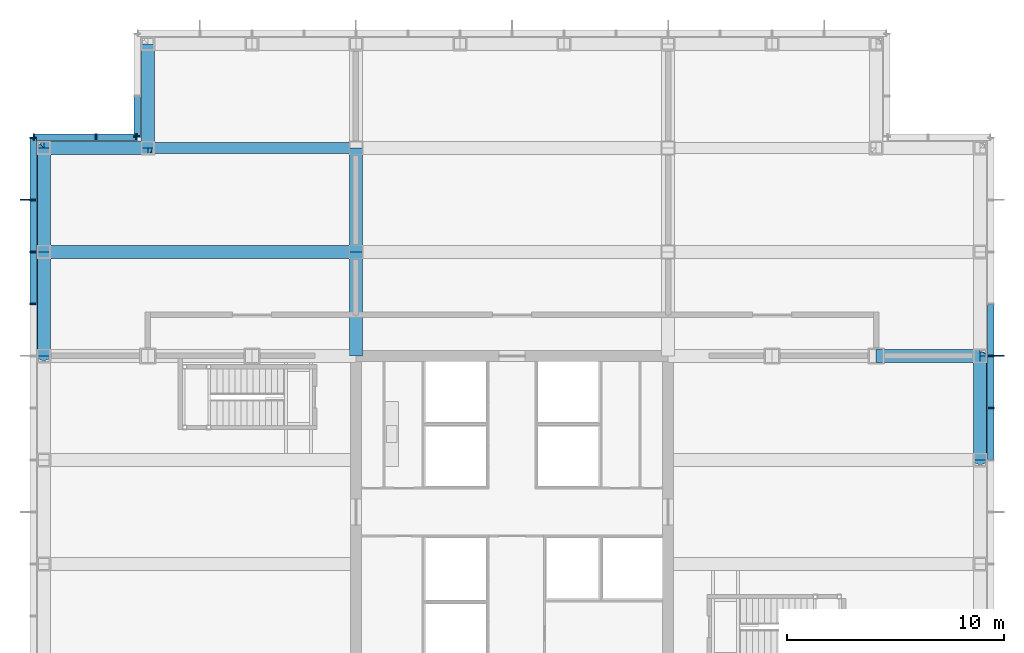
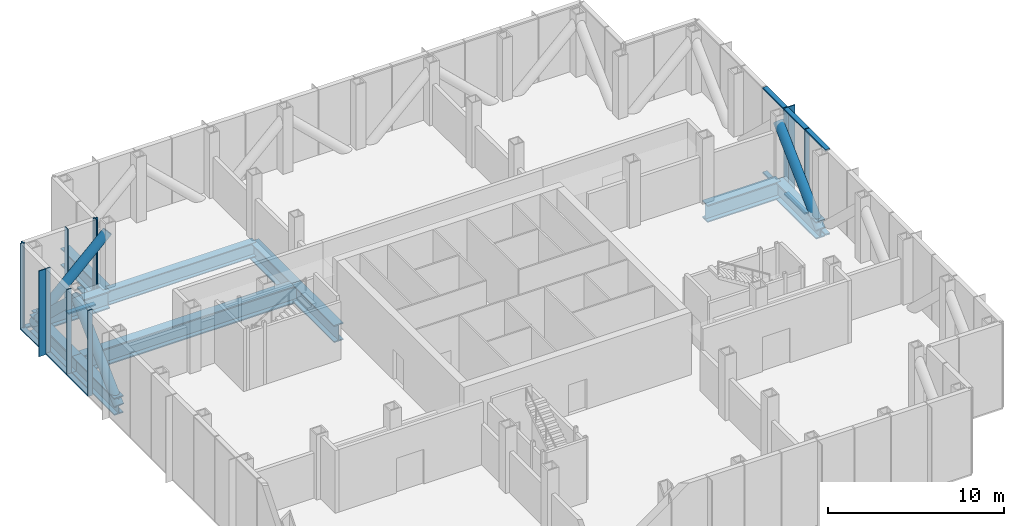
# One storey, part 9 of 18: 28 members, 10 beams, 4 elements without a shape of their own.
"""IFC4 building model written with IfcOpenShell, lengths in metres."""

from ifc_helpers import new_model, si_unit, direction, frame, origin, origin_2d, place, context, subcontext, project, spatial, rectangle, hollow_circle, i_section, extrude, material, material_profile, profile_set, type_object, element, aggregate, save


model = new_model("IFC4")

# Units and contexts
model_context = context("Model", 3, precision=1e-05, world=origin(), true_north=direction((0.0, 1.0)))
body_context = subcontext(model_context, "Body", "Model", "MODEL_VIEW")
ifc_project = project(units=[si_unit("LENGTHUNIT", "METRE"), si_unit("AREAUNIT", "SQUARE_METRE"), si_unit("VOLUMEUNIT", "CUBIC_METRE"), si_unit("PLANEANGLEUNIT", "RADIAN"), si_unit("MASSUNIT", "GRAM", prefix="KILO")], contexts=[model_context])

# Site, building, storey
site_placement = place(None, origin())
site = spatial("IfcSite", under=ifc_project, at=site_placement, CompositionType="ELEMENT")
building_placement = place(site_placement, origin())
building = spatial("IfcBuilding", under=site, at=building_placement, Name="Kvirike Care Tower", CompositionType="ELEMENT")
storey_placement = place(building_placement, frame((0.0, 0.0, 79.5)))
storey = spatial("IfcBuildingStorey", under=building, at=storey_placement, Name="L21", CompositionType="ELEMENT", Elevation=79.5)

# Members
ifc_material_1 = material(Name="Steel S355", Category="steel")
ifc_material_profile_1 = material_profile(ifc_material_1, hollow_circle(Radius=0.304931640625, WallThickness=0.030029296875, at=origin_2d()), Name="CHS 610x30")
ifc_profile_set_1 = profile_set([ifc_material_profile_1], Name="Steel S355")
member_type_1 = type_object("IfcMemberType", Name="BELT TRUSS DIAGONAL CHS 610x30", PredefinedType="BRACE", material=ifc_profile_set_1)
for number, where, z_axis, x_axis, name in (
    (1, (0.0, 52.800048828125, -0.85009765625), (0.0, -0.723490032929, 0.690334826191), (1.0, 0.0, 0.0), "Belt truss diagonal M3-L3 L21"),
    (2, (0.0, 43.199951171875, -0.85009765625), (0.0, 0.723490032929, 0.690334826191), (-1.0, 0.0, 0.0), "Belt truss diagonal L3-K3 L21"),
    (3, (43.199951171875, 38.39990234375, -0.85009765625), (0.0, 0.723490032929, 0.690334826191), (-1.0, 0.0, 0.0), "Belt truss diagonal J12-K12 L21"),
    (4, (0.0, 52.800048828125, -0.85009765625), (0.723490032929, 0.0, 0.690334826191), (0.0, 1.0, 0.0), "Belt truss diagonal M4-M3 L21"),
):
    element("IfcMember", number, at=place(storey_placement, frame(where, z_axis=z_axis, x_axis=x_axis)), inside=storey, type_object=member_type_1, Name=name, PredefinedType="BRACE", context=body_context, shape_type="SweptSolid", body=[
        extrude(hollow_circle(Radius=0.304931640625, WallThickness=0.030029296875, at=origin_2d()), origin(), (0.0, 0.0, 1.0), 6.634521484375),
    ])

# Curtain wall, member
ifc_material_2 = material(Name="Anodised aluminium stick system", Category="aluminium")
curtain_wall_type = type_object("IfcCurtainWallType", Name="CW-L LOUVRED PLANT SCREEN", PredefinedType="NOTDEFINED", material=ifc_material_2)
curtain_wall_1_placement = place(storey_placement, origin())
curtain_wall_1 = element("IfcCurtainWall", 5, at=curtain_wall_1_placement, inside=storey, type_object=curtain_wall_type, Name="Curtain wall L21 face 1", PredefinedType="NOTDEFINED")
ifc_material_3 = material(Name="Bronze anodised aluminium fin", Category="aluminium")
ifc_material_profile_2 = material_profile(ifc_material_3, rectangle(XDim=0.050048828125, YDim=0.449951171875, at=origin_2d()), Name="BRONZE FIN 450")
ifc_profile_set_2 = profile_set([ifc_material_profile_2], Name="Bronze anodised aluminium fin")
member_type_2 = type_object("IfcMemberType", Name="BRONZE FIN 450", PredefinedType="USERDEFINED", material=ifc_profile_set_2)
member_1_placement = place(storey_placement, frame((-0.875, 50.39990234375, -1.449951171875), z_axis=(0.0, 0.0, 1.0), x_axis=(0.0, -1.0, 0.0)))
member_1 = element("IfcMember", 6, at=member_1_placement, type_object=member_type_2, Name="Bronze fin L21 face 1.2", ObjectType="FIN", PredefinedType="USERDEFINED", context=body_context, shape_type="SweptSolid", body=[
    extrude(rectangle(XDim=0.050048828125, YDim=0.449951171875, at=origin_2d()), origin(), (0.0, 0.0, 1.0), 5.949951171875),
])

curtain_wall_2_placement = place(storey_placement, origin())
curtain_wall_2 = element("IfcCurtainWall", 7, at=curtain_wall_2_placement, inside=storey, type_object=curtain_wall_type, Name="Curtain wall L21 face 7", PredefinedType="NOTDEFINED")
member_2_placement = place(storey_placement, frame((44.074951171875, 43.199951171875, -1.449951171875), z_axis=(0.0, 0.0, 1.0), x_axis=(0.0, 1.0, 0.0)))
member_2 = element("IfcMember", 8, at=member_2_placement, type_object=member_type_2, Name="Bronze fin L21 face 7.11", ObjectType="FIN", PredefinedType="USERDEFINED", context=body_context, shape_type="SweptSolid", body=[
    extrude(rectangle(XDim=0.050048828125, YDim=0.449951171875, at=origin_2d()), origin(), (0.0, 0.0, 1.0), 5.949951171875),
])

# Member
ifc_material_4 = material(Name="Bronze anodised aluminium mullion", Category="aluminium")
ifc_material_profile_3 = material_profile(ifc_material_4, rectangle(XDim=0.06494140625, YDim=0.300048828125, at=origin_2d()), Name="CW-L MULLION 65x300")
ifc_profile_set_3 = profile_set([ifc_material_profile_3], Name="Bronze anodised aluminium mullion")
member_type_3 = type_object("IfcMemberType", Name="CW-L MULLION 65x300", PredefinedType="MULLION", material=ifc_profile_set_3)
member_3_placement = place(storey_placement, frame((-0.5, 53.267578125, -1.449951171875), z_axis=(0.0, 0.0, 1.0), x_axis=(0.0, -1.0, 0.0)))
member_3 = element("IfcMember", 9, at=member_3_placement, type_object=member_type_3, Name="CW-L mullion L21 face 1.1", PredefinedType="MULLION", context=body_context, shape_type="SweptSolid", body=[
    extrude(rectangle(XDim=0.06494140625, YDim=0.300048828125, at=origin_2d()), origin(), (0.0, 0.0, 1.0), 5.949951171875),
])

member_4_placement = place(storey_placement, frame((-0.5, 50.39990234375, -1.449951171875), z_axis=(0.0, 0.0, 1.0), x_axis=(0.0, -1.0, 0.0)))
member_4 = element("IfcMember", 10, at=member_4_placement, type_object=member_type_3, Name="CW-L mullion L21 face 1.2", PredefinedType="MULLION", context=body_context, shape_type="SweptSolid", body=[
    extrude(rectangle(XDim=0.06494140625, YDim=0.300048828125, at=origin_2d()), origin(), (0.0, 0.0, 1.0), 5.949951171875),
])

member_5_placement = place(storey_placement, frame((-0.5, 48.0, -1.449951171875), z_axis=(0.0, 0.0, 1.0), x_axis=(0.0, -1.0, 0.0)))
member_5 = element("IfcMember", 11, at=member_5_placement, type_object=member_type_3, Name="CW-L mullion L21 face 1.3", PredefinedType="MULLION", context=body_context, shape_type="SweptSolid", body=[
    extrude(rectangle(XDim=0.06494140625, YDim=0.300048828125, at=origin_2d()), origin(), (0.0, 0.0, 1.0), 5.949951171875),
])

member_6_placement = place(storey_placement, frame((-0.5, 45.60009765625, -1.449951171875), z_axis=(0.0, 0.0, 1.0), x_axis=(0.0, -1.0, 0.0)))
member_6 = element("IfcMember", 12, at=member_6_placement, type_object=member_type_3, Name="CW-L mullion L21 face 1.4", PredefinedType="MULLION", context=body_context, shape_type="SweptSolid", body=[
    extrude(rectangle(XDim=0.06494140625, YDim=0.300048828125, at=origin_2d()), origin(), (0.0, 0.0, 1.0), 5.949951171875),
])

member_7_placement = place(storey_placement, frame((43.699951171875, 40.800048828125, -1.449951171875), z_axis=(0.0, 0.0, 1.0), x_axis=(0.0, 1.0, 0.0)))
member_7 = element("IfcMember", 13, at=member_7_placement, type_object=member_type_3, Name="CW-L mullion L21 face 7.10", PredefinedType="MULLION", context=body_context, shape_type="SweptSolid", body=[
    extrude(rectangle(XDim=0.06494140625, YDim=0.300048828125, at=origin_2d()), origin(), (0.0, 0.0, 1.0), 5.949951171875),
])

member_8_placement = place(storey_placement, frame((43.699951171875, 43.199951171875, -1.449951171875), z_axis=(0.0, 0.0, 1.0), x_axis=(0.0, 1.0, 0.0)))
member_8 = element("IfcMember", 14, at=member_8_placement, type_object=member_type_3, Name="CW-L mullion L21 face 7.11", PredefinedType="MULLION", context=body_context, shape_type="SweptSolid", body=[
    extrude(rectangle(XDim=0.06494140625, YDim=0.300048828125, at=origin_2d()), origin(), (0.0, 0.0, 1.0), 5.949951171875),
])

# Curtain wall, member
curtain_wall_3_placement = place(storey_placement, origin())
curtain_wall_3 = element("IfcCurtainWall", 15, at=curtain_wall_3_placement, inside=storey, type_object=curtain_wall_type, Name="Curtain wall L21 face 11", PredefinedType="NOTDEFINED")
member_9_placement = place(storey_placement, frame((4.300048828125, 53.33251953125, -1.449951171875), z_axis=(0.0, 0.0, 1.0), x_axis=(0.0, -1.0, 0.0)))
member_9 = element("IfcMember", 16, at=member_9_placement, type_object=member_type_3, Name="CW-L mullion L21 face 11.3", PredefinedType="MULLION", context=body_context, shape_type="SweptSolid", body=[
    extrude(rectangle(XDim=0.06494140625, YDim=0.300048828125, at=origin_2d()), origin(), (0.0, 0.0, 1.0), 5.949951171875),
])

# Curtain wall, members
curtain_wall_4_placement = place(storey_placement, origin())
curtain_wall_4 = element("IfcCurtainWall", 17, at=curtain_wall_4_placement, inside=storey, type_object=curtain_wall_type, Name="Curtain wall L21 face 12", PredefinedType="NOTDEFINED")
member_10_placement = place(storey_placement, frame((4.267578125, 53.300048828125, -1.449951171875), z_axis=(0.0, 0.0, 1.0), x_axis=(-1.0, 0.0, 0.0)))
member_10 = element("IfcMember", 18, at=member_10_placement, type_object=member_type_3, Name="CW-L mullion L21 face 12.1", PredefinedType="MULLION", context=body_context, shape_type="SweptSolid", body=[
    extrude(rectangle(XDim=0.06494140625, YDim=0.300048828125, at=origin_2d()), origin(), (0.0, 0.0, 1.0), 5.949951171875),
])
member_11_placement = place(storey_placement, frame((2.39990234375, 53.300048828125, -1.449951171875), z_axis=(0.0, 0.0, 1.0), x_axis=(-1.0, 0.0, 0.0)))
member_11 = element("IfcMember", 19, at=member_11_placement, type_object=member_type_3, Name="CW-L mullion L21 face 12.2", PredefinedType="MULLION", context=body_context, shape_type="SweptSolid", body=[
    extrude(rectangle(XDim=0.06494140625, YDim=0.300048828125, at=origin_2d()), origin(), (0.0, 0.0, 1.0), 5.949951171875),
])
member_12_placement = place(storey_placement, frame((-0.467529296875, 53.300048828125, -1.449951171875), z_axis=(0.0, 0.0, 1.0), x_axis=(-1.0, 0.0, 0.0)))
member_12 = element("IfcMember", 20, at=member_12_placement, type_object=member_type_3, Name="CW-L mullion L21 face 12.3", PredefinedType="MULLION", context=body_context, shape_type="SweptSolid", body=[
    extrude(rectangle(XDim=0.06494140625, YDim=0.300048828125, at=origin_2d()), origin(), (0.0, 0.0, 1.0), 5.949951171875),
])

# Member
ifc_material_5 = material(Name="Bronze anodised aluminium transom", Category="aluminium")
ifc_material_profile_4 = material_profile(ifc_material_5, rectangle(XDim=0.300048828125, YDim=0.10009765625, at=origin_2d()), Name="CW-L TRANSOM 300x100")
ifc_profile_set_4 = profile_set([ifc_material_profile_4], Name="Bronze anodised aluminium transom")
member_type_4 = type_object("IfcMemberType", Name="CW-L TRANSOM 300x100", PredefinedType="USERDEFINED", material=ifc_profile_set_4)
member_13_placement = place(storey_placement, frame((-0.5, 53.235107421875, -1.39990234375), z_axis=(0.0, -1.0, 0.0), x_axis=(1.0, 0.0, 0.0)))
member_13 = element("IfcMember", 21, at=member_13_placement, type_object=member_type_4, Name="CW-L sill transom L21 face 1.1", ObjectType="TRANSOM", PredefinedType="USERDEFINED", context=body_context, shape_type="SweptSolid", body=[
    extrude(rectangle(XDim=0.300048828125, YDim=0.10009765625, at=origin_2d()), origin(), (0.0, 0.0, 1.0), 2.802490234375),
])

member_14_placement = place(storey_placement, frame((-0.5, 50.367431640625, -1.39990234375), z_axis=(0.0, -1.0, 0.0), x_axis=(1.0, 0.0, 0.0)))
member_14 = element("IfcMember", 22, at=member_14_placement, type_object=member_type_4, Name="CW-L sill transom L21 face 1.2", ObjectType="TRANSOM", PredefinedType="USERDEFINED", context=body_context, shape_type="SweptSolid", body=[
    extrude(rectangle(XDim=0.300048828125, YDim=0.10009765625, at=origin_2d()), origin(), (0.0, 0.0, 1.0), 2.3349609375),
])

member_15_placement = place(storey_placement, frame((-0.5, 47.967529296875, -1.39990234375), z_axis=(0.0, -1.0, 0.0), x_axis=(1.0, 0.0, 0.0)))
member_15 = element("IfcMember", 23, at=member_15_placement, type_object=member_type_4, Name="CW-L sill transom L21 face 1.3", ObjectType="TRANSOM", PredefinedType="USERDEFINED", context=body_context, shape_type="SweptSolid", body=[
    extrude(rectangle(XDim=0.300048828125, YDim=0.10009765625, at=origin_2d()), origin(), (0.0, 0.0, 1.0), 2.3349609375),
])

aggregate(curtain_wall_1, [member_3, member_4, member_1, member_5, member_6, member_13, member_14, member_15])

member_16_placement = place(storey_placement, frame((43.699951171875, 38.4326171875, -1.39990234375), z_axis=(0.0, 1.0, 0.0), x_axis=(-1.0, 0.0, 0.0)))
member_16 = element("IfcMember", 24, at=member_16_placement, type_object=member_type_4, Name="CW-L sill transom L21 face 7.9", ObjectType="TRANSOM", PredefinedType="USERDEFINED", context=body_context, shape_type="SweptSolid", body=[
    extrude(rectangle(XDim=0.300048828125, YDim=0.10009765625, at=origin_2d()), origin(), (0.0, 0.0, 1.0), 2.3349609375),
])

member_17_placement = place(storey_placement, frame((43.699951171875, 38.4326171875, 4.449951171875), z_axis=(0.0, 1.0, 0.0), x_axis=(-1.0, 0.0, 0.0)))
member_17 = element("IfcMember", 25, at=member_17_placement, type_object=member_type_4, Name="CW-L head transom L21 face 7.9", ObjectType="TRANSOM", PredefinedType="USERDEFINED", context=body_context, shape_type="SweptSolid", body=[
    extrude(rectangle(XDim=0.300048828125, YDim=0.10009765625, at=origin_2d()), origin(), (0.0, 0.0, 1.0), 2.3349609375),
])

member_18_placement = place(storey_placement, frame((43.699951171875, 40.83251953125, -1.39990234375), z_axis=(0.0, 1.0, 0.0), x_axis=(-1.0, 0.0, 0.0)))
member_18 = element("IfcMember", 26, at=member_18_placement, type_object=member_type_4, Name="CW-L sill transom L21 face 7.10", ObjectType="TRANSOM", PredefinedType="USERDEFINED", context=body_context, shape_type="SweptSolid", body=[
    extrude(rectangle(XDim=0.300048828125, YDim=0.10009765625, at=origin_2d()), origin(), (0.0, 0.0, 1.0), 2.3349609375),
])

member_19_placement = place(storey_placement, frame((43.699951171875, 40.83251953125, 4.449951171875), z_axis=(0.0, 1.0, 0.0), x_axis=(-1.0, 0.0, 0.0)))
member_19 = element("IfcMember", 27, at=member_19_placement, type_object=member_type_4, Name="CW-L head transom L21 face 7.10", ObjectType="TRANSOM", PredefinedType="USERDEFINED", context=body_context, shape_type="SweptSolid", body=[
    extrude(rectangle(XDim=0.300048828125, YDim=0.10009765625, at=origin_2d()), origin(), (0.0, 0.0, 1.0), 2.3349609375),
])

member_20_placement = place(storey_placement, frame((43.699951171875, 43.232421875, -1.39990234375), z_axis=(0.0, 1.0, 0.0), x_axis=(-1.0, 0.0, 0.0)))
member_20 = element("IfcMember", 28, at=member_20_placement, type_object=member_type_4, Name="CW-L sill transom L21 face 7.11", ObjectType="TRANSOM", PredefinedType="USERDEFINED", context=body_context, shape_type="SweptSolid", body=[
    extrude(rectangle(XDim=0.300048828125, YDim=0.10009765625, at=origin_2d()), origin(), (0.0, 0.0, 1.0), 2.3349609375),
])

member_21_placement = place(storey_placement, frame((43.699951171875, 43.232421875, 4.449951171875), z_axis=(0.0, 1.0, 0.0), x_axis=(-1.0, 0.0, 0.0)))
member_21 = element("IfcMember", 29, at=member_21_placement, type_object=member_type_4, Name="CW-L head transom L21 face 7.11", ObjectType="TRANSOM", PredefinedType="USERDEFINED", context=body_context, shape_type="SweptSolid", body=[
    extrude(rectangle(XDim=0.300048828125, YDim=0.10009765625, at=origin_2d()), origin(), (0.0, 0.0, 1.0), 2.3349609375),
])

aggregate(curtain_wall_2, [member_7, member_8, member_2, member_16, member_17, member_18, member_19, member_20, member_21])

member_22_placement = place(storey_placement, frame((4.300048828125, 55.16748046875, -1.39990234375), z_axis=(0.0, -1.0, 0.0), x_axis=(1.0, 0.0, 0.0)))
member_22 = element("IfcMember", 30, at=member_22_placement, type_object=member_type_4, Name="CW-L sill transom L21 face 11.2", ObjectType="TRANSOM", PredefinedType="USERDEFINED", context=body_context, shape_type="SweptSolid", body=[
    extrude(rectangle(XDim=0.300048828125, YDim=0.10009765625, at=origin_2d()), origin(), (0.0, 0.0, 1.0), 1.802490234375),
])

aggregate(curtain_wall_3, [member_9, member_22])

member_23_placement = place(storey_placement, frame((4.235107421875, 53.300048828125, -1.39990234375), z_axis=(-1.0, 0.0, 0.0), x_axis=(0.0, -1.0, 0.0)))
member_23 = element("IfcMember", 31, at=member_23_placement, type_object=member_type_4, Name="CW-L sill transom L21 face 12.1", ObjectType="TRANSOM", PredefinedType="USERDEFINED", context=body_context, shape_type="SweptSolid", body=[
    extrude(rectangle(XDim=0.300048828125, YDim=0.10009765625, at=origin_2d()), origin(), (0.0, 0.0, 1.0), 1.802490234375),
])

member_24_placement = place(storey_placement, frame((2.367431640625, 53.300048828125, -1.39990234375), z_axis=(-1.0, 0.0, 0.0), x_axis=(0.0, -1.0, 0.0)))
member_24 = element("IfcMember", 32, at=member_24_placement, type_object=member_type_4, Name="CW-L sill transom L21 face 12.2", ObjectType="TRANSOM", PredefinedType="USERDEFINED", context=body_context, shape_type="SweptSolid", body=[
    extrude(rectangle(XDim=0.300048828125, YDim=0.10009765625, at=origin_2d()), origin(), (0.0, 0.0, 1.0), 2.802490234375),
])

aggregate(curtain_wall_4, [member_10, member_11, member_12, member_23, member_24])

# Beams
ifc_material_6 = material(Name="Steel S355", Category="steel")
ifc_material_profile_5 = material_profile(ifc_material_6, i_section(OverallWidth=0.60009765625, OverallDepth=1.199951171875, WebThickness=0.0400390625, FlangeThickness=0.080078125, at=origin_2d()), Name="PG 1200x600x40x80")
ifc_profile_set_5 = profile_set([ifc_material_profile_5], Name="Steel S355")
beam_type_1 = type_object("IfcBeamType", Name="FRAME BEAM PG 1200x600x40x80", PredefinedType="BEAM", material=ifc_profile_set_5)
for number, where, z_axis, x_axis, name in (
    (33, (38.39990234375, 43.199951171875, -0.85009765625), (1.0, 0.0, 0.0), (0.0, 1.0, 0.0), "Frame Beam K11-K12 L21"),
    (34, (14.39990234375, 43.199951171875, -0.85009765625), (0.0, 1.0, 0.0), (-1.0, 0.0, 0.0), "Frame Beam K6-L6 L21"),
    (35, (14.39990234375, 48.0, -0.85009765625), (0.0, 1.0, 0.0), (-1.0, 0.0, 0.0), "Frame Beam L6-M6 L21"),
):
    element("IfcBeam", number, at=place(storey_placement, frame(where, z_axis=z_axis, x_axis=x_axis)), inside=storey, type_object=beam_type_1, Name=name, PredefinedType="BEAM", context=body_context, shape_type="SweptSolid", body=[
        extrude(i_section(OverallWidth=0.60009765625, OverallDepth=1.199951171875, WebThickness=0.0400390625, FlangeThickness=0.080078125, at=origin_2d()), origin(), (0.0, 0.0, 1.0), 4.800048828125),
    ])
ifc_material_7 = material(Name="Steel S355", Category="steel")
ifc_material_profile_6 = material_profile(ifc_material_7, i_section(OverallWidth=0.5, OverallDepth=1.0, WebThickness=0.030029296875, FlangeThickness=0.06005859375, at=origin_2d()), Name="PG 1000x500x30x60")
ifc_profile_set_6 = profile_set([ifc_material_profile_6], Name="Steel S355")
beam_type_2 = type_object("IfcBeamType", Name="PLANT FLOOR GIRDER PG 1000x500x30x60", PredefinedType="BEAM", material=ifc_profile_set_6)
beam_1_placement = place(storey_placement, frame((4.800048828125, 52.800048828125, -0.75), z_axis=(1.0, 0.0, 0.0), x_axis=(0.0, 1.0, 0.0)))
element("IfcBeam", 36, at=beam_1_placement, inside=storey, type_object=beam_type_2, Name="Plant Floor Girder M4-M6 L21", PredefinedType="BEAM", context=body_context, shape_type="SweptSolid", body=[
    extrude(i_section(OverallWidth=0.5, OverallDepth=1.0, WebThickness=0.030029296875, FlangeThickness=0.06005859375, at=origin_2d()), origin(), (0.0, 0.0, 1.0), 9.599853515625),
])
ifc_material_8 = material(Name="Steel S355", Category="steel")
ifc_material_profile_7 = material_profile(ifc_material_8, i_section(OverallWidth=0.60009765625, OverallDepth=1.199951171875, WebThickness=0.0400390625, FlangeThickness=0.080078125, at=origin_2d()), Name="PG 1200x600x40x80")
ifc_profile_set_7 = profile_set([ifc_material_profile_7], Name="Steel S355")
beam_type_3 = type_object("IfcBeamType", Name="PLANT FLOOR GIRDER PG 1200x600x40x80", PredefinedType="BEAM", material=ifc_profile_set_7)
beam_2_placement = place(storey_placement, frame((0.0, 48.0, -0.85009765625), z_axis=(1.0, 0.0, 0.0), x_axis=(0.0, 1.0, 0.0)))
element("IfcBeam", 37, at=beam_2_placement, inside=storey, type_object=beam_type_3, Name="Plant Floor Girder L3-L6 L21", PredefinedType="BEAM", context=body_context, shape_type="SweptSolid", body=[
    extrude(i_section(OverallWidth=0.60009765625, OverallDepth=1.199951171875, WebThickness=0.0400390625, FlangeThickness=0.080078125, at=origin_2d()), origin(), (0.0, 0.0, 1.0), 14.39990234375),
])
ifc_material_9 = material(Name="Steel S355", Category="steel")
ifc_material_profile_8 = material_profile(ifc_material_9, i_section(OverallWidth=0.60009765625, OverallDepth=1.199951171875, WebThickness=0.0400390625, FlangeThickness=0.080078125, at=origin_2d()), Name="PG 1200x600x40x80")
ifc_profile_set_8 = profile_set([ifc_material_profile_8], Name="Steel S355")
beam_type_4 = type_object("IfcBeamType", Name="SPANDREL PG 1200x600x40x80", PredefinedType="SPANDREL", material=ifc_profile_set_8)
for number, where, z_axis, x_axis, name in (
    (38, (0.0, 52.800048828125, -0.85009765625), (1.0, 0.0, 0.0), (0.0, 1.0, 0.0), "Spandrel M3-M4 L21"),
    (39, (0.0, 43.199951171875, -0.85009765625), (0.0, 1.0, 0.0), (-1.0, 0.0, 0.0), "Spandrel K3-L3 L21"),
    (40, (0.0, 48.0, -0.85009765625), (0.0, 1.0, 0.0), (-1.0, 0.0, 0.0), "Spandrel L3-M3 L21"),
    (41, (4.800048828125, 52.800048828125, -0.85009765625), (0.0, 1.0, 0.0), (-1.0, 0.0, 0.0), "Spandrel M4-N4 L21"),
    (42, (43.199951171875, 38.39990234375, -0.85009765625), (0.0, 1.0, 0.0), (-1.0, 0.0, 0.0), "Spandrel J12-K12 L21"),
):
    element("IfcBeam", number, at=place(storey_placement, frame(where, z_axis=z_axis, x_axis=x_axis)), inside=storey, type_object=beam_type_4, Name=name, PredefinedType="SPANDREL", context=body_context, shape_type="SweptSolid", body=[
        extrude(i_section(OverallWidth=0.60009765625, OverallDepth=1.199951171875, WebThickness=0.0400390625, FlangeThickness=0.080078125, at=origin_2d()), origin(), (0.0, 0.0, 1.0), 4.800048828125),
    ])

save(model, "model.ifc")
